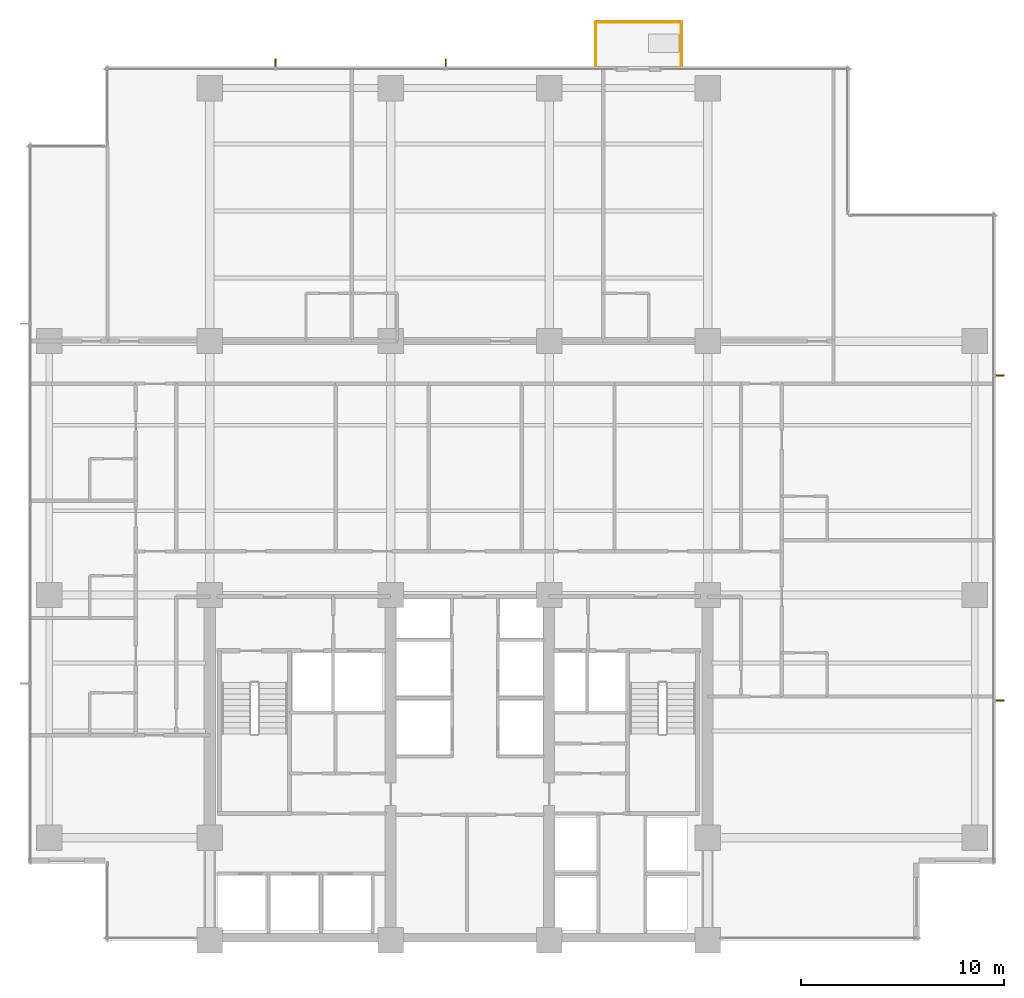
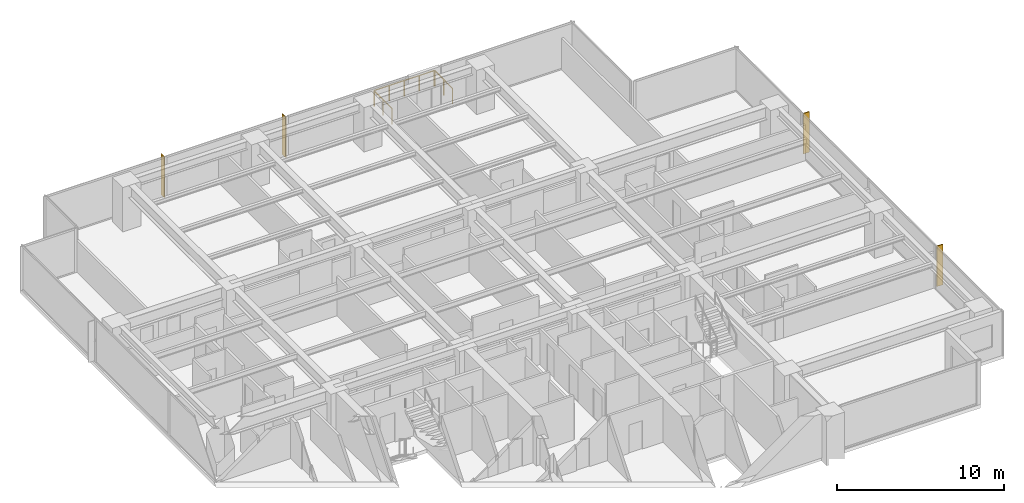
# One storey, part 17 of 17: 4 shading devices, 3 railings.
"""IFC4 building model written with IfcOpenShell, lengths in metres."""

from ifc_helpers import new_model, si_unit, direction, frame, origin, origin_2d, place, context, subcontext, project, spatial, polyline, circle, outline, extrude, material, layer, layer_set, type_object, element, save


model = new_model("IFC4")

# Units and contexts
model_context = context("Model", 3, precision=1e-05, world=origin(), true_north=direction((0.0, 1.0)))
body_context = subcontext(model_context, "Body", "Model", "MODEL_VIEW")
ifc_project = project(units=[si_unit("LENGTHUNIT", "METRE"), si_unit("AREAUNIT", "SQUARE_METRE"), si_unit("VOLUMEUNIT", "CUBIC_METRE"), si_unit("PLANEANGLEUNIT", "RADIAN"), si_unit("MASSUNIT", "GRAM", prefix="KILO")], contexts=[model_context])

# Site, building, storey
site_placement = place(None, origin())
site = spatial("IfcSite", under=ifc_project, at=site_placement, CompositionType="ELEMENT")
building_placement = place(site_placement, origin())
building = spatial("IfcBuilding", under=site, at=building_placement, Name="Qalmaran Belvedere Hotel", CompositionType="ELEMENT")
storey_placement = place(building_placement, frame((0.0, 0.0, 112.699951171875)))
storey = spatial("IfcBuildingStorey", under=building, at=storey_placement, Name="L28", CompositionType="ELEMENT", Elevation=112.699951171875)

# Shading devices
ifc_material = material(Name="Anodised Bronze Aluminium", Category="aluminium")
ifc_layer = layer(ifc_material, 0.06494140625, Name="Anodised Bronze Aluminium")
ifc_layer_set = layer_set([ifc_layer], Name="Anodised Bronze Aluminium")
shading_device_type = type_object("IfcShadingDeviceType", Name="FIN-BRNZ-420", PredefinedType="USERDEFINED", material=ifc_layer_set)
shading_device_1_placement = place(storey_placement, frame((0.0, 0.0, 0.16015625)))
element("IfcShadingDevice", 1, at=shading_device_1_placement, inside=storey, type_object=shading_device_type, Name="L28 Bronze Fin 1", ObjectType="FIN", PredefinedType="USERDEFINED", context=body_context, shape_type="SweptSolid", body=[
    extrude(outline(polyline([(58.969970703125, 15.267578125), (59.389892578125, 15.267578125), (59.389892578125, 15.33251953125), (58.969970703125, 15.33251953125), (58.969970703125, 15.267578125)])), origin(), (0.0, 0.0, 1.0), 2.9599609375),
])
shading_device_2_placement = place(storey_placement, frame((0.0, 0.0, 0.16015625)))
element("IfcShadingDevice", 2, at=shading_device_2_placement, inside=storey, type_object=shading_device_type, Name="L28 Bronze Fin 3", ObjectType="FIN", PredefinedType="USERDEFINED", context=body_context, shape_type="SweptSolid", body=[
    extrude(outline(polyline([(58.969970703125, 31.267578125), (59.389892578125, 31.267578125), (59.389892578125, 31.33251953125), (58.969970703125, 31.33251953125), (58.969970703125, 31.267578125)])), origin(), (0.0, 0.0, 1.0), 2.9599609375),
])
shading_device_3_placement = place(storey_placement, frame((0.0, 0.0, 0.16015625)))
element("IfcShadingDevice", 3, at=shading_device_3_placement, inside=storey, type_object=shading_device_type, Name="L28 Bronze Fin 1", ObjectType="FIN", PredefinedType="USERDEFINED", context=body_context, shape_type="SweptSolid", body=[
    extrude(outline(polyline([(31.94921875, 46.469970703125), (31.94921875, 46.889892578125), (31.88427734375, 46.889892578125), (31.88427734375, 46.469970703125), (31.94921875, 46.469970703125)])), origin(), (0.0, 0.0, 1.0), 2.9599609375),
])
shading_device_4_placement = place(storey_placement, frame((0.0, 0.0, 0.16015625)))
element("IfcShadingDevice", 4, at=shading_device_4_placement, inside=storey, type_object=shading_device_type, Name="L28 Bronze Fin 2", ObjectType="FIN", PredefinedType="USERDEFINED", context=body_context, shape_type="SweptSolid", body=[
    extrude(outline(polyline([(23.56591796875, 46.469970703125), (23.56591796875, 46.889892578125), (23.500732421875, 46.889892578125), (23.500732421875, 46.469970703125), (23.56591796875, 46.469970703125)])), origin(), (0.0, 0.0, 1.0), 2.9599609375),
])

# Railings
railing_type = type_object("IfcRailingType", Name="GRD-BAL-1150", PredefinedType="BALUSTRADE", material=ifc_material)
railing_1_placement = place(storey_placement, frame((39.300048828125, 46.534912109375, 0.0)))
element("IfcRailing", 5, at=railing_1_placement, inside=storey, type_object=railing_type, Name="L28 Guardrail BAL-L28-N-1", PredefinedType="BALUSTRADE", context=body_context, shape_type="SweptSolid", body=[
    extrude(circle(Radius=0.02392578125, at=origin_2d()), frame((0.0, 0.0, 1.1259765625), z_axis=(0.0, 1.0, 0.0), x_axis=(-1.0, 0.0, 0.0)), (0.0, 0.0, 1.0), 2.130126953125),
    extrude(circle(Radius=0.02099609375, at=origin_2d()), origin(), (0.0, 0.0, 1.0), 1.101806640625),
    extrude(circle(Radius=0.02099609375, at=origin_2d()), frame((0.0, 1.06494140625, 0.0)), (0.0, 0.0, 1.0), 1.101806640625),
    extrude(circle(Radius=0.02099609375, at=origin_2d()), frame((0.0, 2.130126953125, 0.0)), (0.0, 0.0, 1.0), 1.101806640625),
])
railing_2_placement = place(storey_placement, frame((39.3349609375, 48.699951171875, 0.0)))
element("IfcRailing", 6, at=railing_2_placement, inside=storey, type_object=railing_type, Name="L28 Guardrail BAL-L28-N-2", PredefinedType="BALUSTRADE", context=body_context, shape_type="SweptSolid", body=[
    extrude(circle(Radius=0.02392578125, at=origin_2d()), frame((0.0, 0.0, 1.1259765625), z_axis=(1.0, 0.0, 0.0), x_axis=(0.0, 1.0, 0.0)), (0.0, 0.0, 1.0), 4.130126953125),
    extrude(circle(Radius=0.02099609375, at=origin_2d()), origin(), (0.0, 0.0, 1.0), 1.101806640625),
    extrude(circle(Radius=0.02099609375, at=origin_2d()), frame((1.032470703125, 0.0, 0.0)), (0.0, 0.0, 1.0), 1.101806640625),
    extrude(circle(Radius=0.02099609375, at=origin_2d()), frame((2.06494140625, 0.0, 0.0)), (0.0, 0.0, 1.0), 1.101806640625),
    extrude(circle(Radius=0.02099609375, at=origin_2d()), frame((3.09765625, 0.0, 0.0)), (0.0, 0.0, 1.0), 1.101806640625),
    extrude(circle(Radius=0.02099609375, at=origin_2d()), frame((4.130126953125, 0.0, 0.0)), (0.0, 0.0, 1.0), 1.101806640625),
])
railing_3_placement = place(storey_placement, frame((43.5, 48.6650390625, 0.0)))
element("IfcRailing", 7, at=railing_3_placement, inside=storey, type_object=railing_type, Name="L28 Guardrail BAL-L28-N-3", PredefinedType="BALUSTRADE", context=body_context, shape_type="SweptSolid", body=[
    extrude(circle(Radius=0.02392578125, at=origin_2d()), frame((0.0, 0.0, 1.1259765625), z_axis=(0.0, -1.0, 0.0), x_axis=(1.0, 0.0, 0.0)), (0.0, 0.0, 1.0), 2.130126953125),
    extrude(circle(Radius=0.02099609375, at=origin_2d()), origin(), (0.0, 0.0, 1.0), 1.101806640625),
    extrude(circle(Radius=0.02099609375, at=origin_2d()), frame((0.0, -1.06494140625, 0.0)), (0.0, 0.0, 1.0), 1.101806640625),
    extrude(circle(Radius=0.02099609375, at=origin_2d()), frame((0.0, -2.130126953125, 0.0)), (0.0, 0.0, 1.0), 1.101806640625),
])

save(model, "model.ifc")
